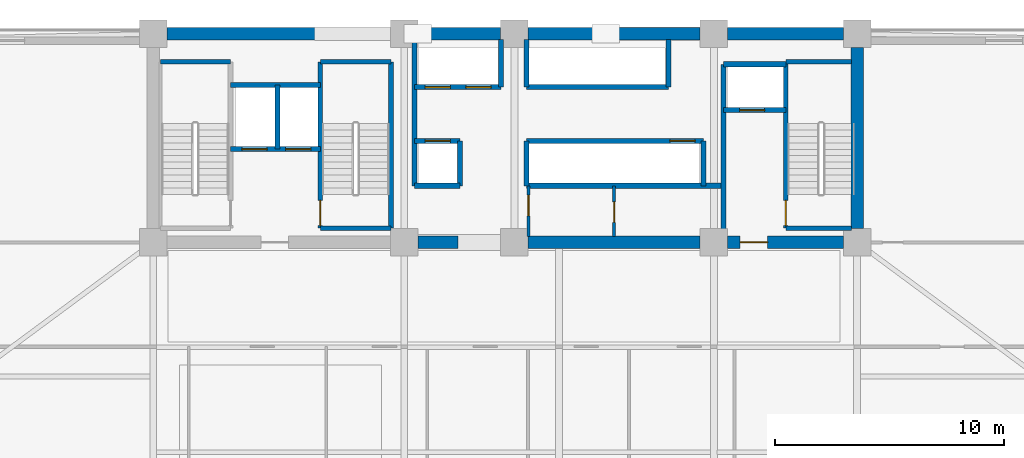
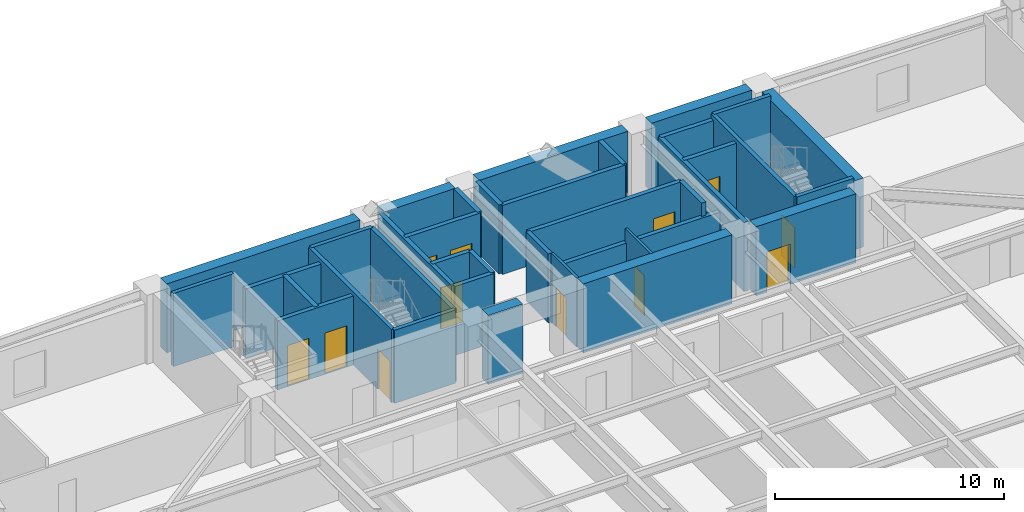
# One storey, part 9 of 16: 37 walls, 12 doors, 12 openings.
"""IFC4 building model written with IfcOpenShell, lengths in metres."""

from ifc_helpers import new_model, si_unit, direction, frame, frame_2d, origin, place, context, subcontext, project, spatial, rectangle, extrude, source, transform, mapped, material, layer, layer_set, type_object, element, fill, save


model = new_model("IFC4")

# Units and contexts
model_context = context("Model", 3, precision=1e-05, world=origin(), true_north=direction((0.0, 1.0)))
body_context = subcontext(model_context, "Body", "Model", "MODEL_VIEW")
ifc_project = project(units=[si_unit("LENGTHUNIT", "METRE"), si_unit("AREAUNIT", "SQUARE_METRE"), si_unit("VOLUMEUNIT", "CUBIC_METRE"), si_unit("PLANEANGLEUNIT", "RADIAN"), si_unit("MASSUNIT", "GRAM", prefix="KILO")], contexts=[model_context])

# Site, building, storey
site_placement = place(None, origin())
site = spatial("IfcSite", under=ifc_project, at=site_placement, CompositionType="ELEMENT")
building_placement = place(site_placement, origin())
building = spatial("IfcBuilding", under=site, at=building_placement, Name="Giltprow Tower", CompositionType="ELEMENT")
storey_placement = place(building_placement, frame((0.0, 0.0, 79.60009765625)))
storey = spatial("IfcBuildingStorey", under=building, at=storey_placement, Name="L19", CompositionType="ELEMENT", Elevation=79.60009765625)

# Wall, openings, doors
ifc_material_1 = material(Name="Concrete C40", Category="concrete")
ifc_layer_1 = layer(ifc_material_1, 0.219970703125, Name="Concrete C40")
ifc_layer_set_1 = layer_set([ifc_layer_1], Name="Concrete C40")
wall_type_1 = type_object("IfcWallType", Name="IW-SHAFT-220", PredefinedType="SOLIDWALL", material=ifc_layer_set_1)
wall_1_placement = place(storey_placement, frame((23.219970703125, 41.52001953125, 0.0), z_axis=(0.0, 0.0, 1.0), x_axis=(1.0, 0.0, 0.0)))
wall_1 = element("IfcWall", 1, at=wall_1_placement, inside=storey, type_object=wall_type_1, Name="L19 FFL1 and Service Lift Front Wall", PredefinedType="SOLIDWALL", context=body_context, shape_type="SweptSolid", body=[
    extrude(rectangle(XDim=3.919921875, YDim=0.219970703125, at=frame_2d((1.9599609375, 0.0))), origin(), (0.0, 0.0, 1.0), 3.679931640625),
])
opening_1_placement = place(wall_1_placement, frame((0.5, 0.0, 0.0)))
opening_1 = element("IfcOpeningElement", 2, at=opening_1_placement, cuts=wall_1, Name="Opening LD-11", PredefinedType="OPENING", context=body_context, shape_type="SweptSolid", body=[
    extrude(rectangle(XDim=1.10009765625, YDim=2.199951171875, at=frame_2d((0.550048828125, 1.10009765625))), frame((0.0, 0.119873046875, 0.0), z_axis=(0.0, -1.0, 0.0), x_axis=(1.0, 0.0, 0.0)), (0.0, 0.0, 1.0), 0.239990234375),
])
opening_2_placement = place(wall_1_placement, frame((2.39990234375, 0.0, 0.0)))
opening_2 = element("IfcOpeningElement", 3, at=opening_2_placement, cuts=wall_1, Name="Opening LD-11", PredefinedType="OPENING", context=body_context, shape_type="SweptSolid", body=[
    extrude(rectangle(XDim=1.10009765625, YDim=2.199951171875, at=frame_2d((0.550048828125, 1.10009765625))), frame((0.0, 0.119873046875, 0.0), z_axis=(0.0, -1.0, 0.0), x_axis=(1.0, 0.0, 0.0)), (0.0, 0.0, 1.0), 0.239990234375),
])
ifc_material_2 = material(Name="Stainless steel", Category="steel")
door_type_1 = type_object("IfcDoorType", Name="DR-LIFT-LD1100", OperationType="SLIDING_TO_LEFT", PredefinedType="DOOR", material=ifc_material_2)
shared_shape_1 = source(origin(), body_context, "Body", "SweptSolid", [
    extrude(rectangle(XDim=1.10009765625, YDim=2.199951171875, at=frame_2d((0.550048828125, 1.10009765625))), frame((0.0, 0.02490234375, 0.0), z_axis=(0.0, -1.0, 0.0), x_axis=(1.0, 0.0, 0.0)), (0.0, 0.0, 1.0), 0.050048828125),
])
door_1_placement = place(opening_1_placement, origin())
door_1 = element("IfcDoor", 4, at=door_1_placement, inside=storey, type_object=door_type_1, Name="L19 FFL1 Landing Door", OperationType="SLIDING_TO_LEFT", OverallHeight=2.199951171875, OverallWidth=1.10009765625, PredefinedType="DOOR", context=body_context, shape_type="MappedRepresentation", body=[
    mapped(shared_shape_1, transform((0.0, 0.0, 0.0), x_axis=(1.0, 0.0, 0.0), y_axis=(0.0, 1.0, 0.0), z_axis=(0.0, 0.0, 1.0), scale=1.0)),
])
fill(opening_1, door_1)
door_2_placement = place(opening_2_placement, origin())
door_2 = element("IfcDoor", 5, at=door_2_placement, inside=storey, type_object=door_type_1, Name="L19 SVL1 Landing Door", OperationType="SLIDING_TO_LEFT", OverallHeight=2.199951171875, OverallWidth=1.10009765625, PredefinedType="DOOR", context=body_context, shape_type="MappedRepresentation", body=[
    mapped(shared_shape_1, transform((0.0, 0.0, 0.0), x_axis=(1.0, 0.0, 0.0), y_axis=(0.0, 1.0, 0.0), z_axis=(0.0, 0.0, 1.0), scale=1.0)),
])
fill(opening_2, door_2)

# Walls
wall_2_placement = place(storey_placement, frame((25.260009765625, 41.52001953125, 0.0), z_axis=(0.0, 0.0, 1.0), x_axis=(0.0, 1.0, 0.0)))
element("IfcWall", 6, at=wall_2_placement, inside=storey, type_object=wall_type_1, Name="L19 FFL1-SVL1 Shaft Divider", PredefinedType="SOLIDWALL", context=body_context, shape_type="SweptSolid", body=[
    extrude(rectangle(XDim=2.800048828125, YDim=0.219970703125, at=frame_2d((1.39990234375, 0.0))), origin(), (0.0, 0.0, 1.0), 3.679931640625),
])
wall_3_placement = place(storey_placement, frame((23.219970703125, 44.320068359375, 0.0), z_axis=(0.0, 0.0, 1.0), x_axis=(1.0, 0.0, 0.0)))
element("IfcWall", 7, at=wall_3_placement, inside=storey, type_object=wall_type_1, Name="L19 FFL1-SVL1 Back Shaft Wall", PredefinedType="SOLIDWALL", context=body_context, shape_type="SweptSolid", body=[
    extrude(rectangle(XDim=3.919921875, YDim=0.219970703125, at=frame_2d((1.9599609375, 0.0))), origin(), (0.0, 0.0, 1.0), 3.679931640625),
])

# Wall, opening, door
wall_4_placement = place(storey_placement, frame((44.719970703125, 43.219970703125, 0.0), z_axis=(0.0, 0.0, 1.0), x_axis=(1.0, 0.0, 0.0)))
wall_4 = element("IfcWall", 8, at=wall_4_placement, inside=storey, type_object=wall_type_1, Name="L19 FFL2 Front Shaft Wall", PredefinedType="SOLIDWALL", context=body_context, shape_type="SweptSolid", body=[
    extrude(rectangle(XDim=2.719970703125, YDim=0.219970703125, at=frame_2d((1.35986328125, 0.0))), origin(), (0.0, 0.0, 1.0), 3.679931640625),
])
opening_3_placement = place(wall_4_placement, frame((0.699951171875, 0.0, 0.0)))
opening_3 = element("IfcOpeningElement", 9, at=opening_3_placement, cuts=wall_4, Name="Opening LD-11", PredefinedType="OPENING", context=body_context, shape_type="SweptSolid", body=[
    extrude(rectangle(XDim=1.10009765625, YDim=2.199951171875, at=frame_2d((0.550048828125, 1.10009765625))), frame((0.0, 0.119873046875, 0.0), z_axis=(0.0, -1.0, 0.0), x_axis=(1.0, 0.0, 0.0)), (0.0, 0.0, 1.0), 0.239990234375),
])
door_3_placement = place(opening_3_placement, origin())
door_3 = element("IfcDoor", 10, at=door_3_placement, inside=storey, type_object=door_type_1, Name="L19 FFL2 Landing Door", OperationType="SLIDING_TO_LEFT", OverallHeight=2.199951171875, OverallWidth=1.10009765625, PredefinedType="DOOR", context=body_context, shape_type="MappedRepresentation", body=[
    mapped(shared_shape_1, transform((0.0, 0.0, 0.0), x_axis=(1.0, 0.0, 0.0), y_axis=(0.0, 1.0, 0.0), z_axis=(0.0, 0.0, 1.0), scale=1.0)),
])
fill(opening_3, door_3)

# Walls
wall_5_placement = place(storey_placement, frame((44.719970703125, 45.219970703125, 0.0), z_axis=(0.0, 0.0, 1.0), x_axis=(1.0, 0.0, 0.0)))
element("IfcWall", 11, at=wall_5_placement, inside=storey, type_object=wall_type_1, Name="L19 FFL2 Back Shaft Wall", PredefinedType="SOLIDWALL", context=body_context, shape_type="SweptSolid", body=[
    extrude(rectangle(XDim=2.719970703125, YDim=0.219970703125, at=frame_2d((1.35986328125, 0.0))), origin(), (0.0, 0.0, 1.0), 3.679931640625),
])
wall_6_placement = place(storey_placement, frame((44.719970703125, 37.705078125, 0.0), z_axis=(0.0, 0.0, 1.0), x_axis=(0.0, 1.0, 0.0)))
element("IfcWall", 12, at=wall_6_placement, inside=storey, type_object=wall_type_1, Name="L19 East Firefighting Lobby West Wall", PredefinedType="SOLIDWALL", context=body_context, shape_type="SweptSolid", body=[
    extrude(rectangle(XDim=7.514892578125, YDim=0.219970703125, at=frame_2d((3.75732421875, 0.0))), origin(), (0.0, 0.0, 1.0), 3.679931640625),
])

# Wall, openings, doors
wall_7_placement = place(storey_placement, frame((31.25, 44.219970703125, 0.0), z_axis=(0.0, 0.0, 1.0), x_axis=(1.0, 0.0, 0.0)))
wall_7 = element("IfcWall", 13, at=wall_7_placement, inside=storey, type_object=wall_type_1, Name="L19 North West Lift Shaft Front Wall", PredefinedType="SOLIDWALL", context=body_context, shape_type="SweptSolid", body=[
    extrude(rectangle(XDim=3.77001953125, YDim=0.219970703125, at=frame_2d((1.885009765625, 0.0))), origin(), (0.0, 0.0, 1.0), 3.679931640625),
])
opening_4_placement = place(wall_7_placement, frame((0.4599609375, 0.0, 0.0)))
opening_4 = element("IfcOpeningElement", 14, at=opening_4_placement, cuts=wall_7, Name="Opening LD-11", PredefinedType="OPENING", context=body_context, shape_type="SweptSolid", body=[
    extrude(rectangle(XDim=1.10009765625, YDim=2.199951171875, at=frame_2d((0.550048828125, 1.10009765625))), frame((0.0, 0.119873046875, 0.0), z_axis=(0.0, -1.0, 0.0), x_axis=(1.0, 0.0, 0.0)), (0.0, 0.0, 1.0), 0.239990234375),
])
opening_5_placement = place(wall_7_placement, frame((2.239990234375, 0.0, 0.0)))
opening_5 = element("IfcOpeningElement", 15, at=opening_5_placement, cuts=wall_7, Name="Opening LD-11", PredefinedType="OPENING", context=body_context, shape_type="SweptSolid", body=[
    extrude(rectangle(XDim=1.10009765625, YDim=2.199951171875, at=frame_2d((0.550048828125, 1.10009765625))), frame((0.0, 0.119873046875, 0.0), z_axis=(0.0, -1.0, 0.0), x_axis=(1.0, 0.0, 0.0)), (0.0, 0.0, 1.0), 0.239990234375),
])
door_4_placement = place(opening_4_placement, origin())
door_4 = element("IfcDoor", 16, at=door_4_placement, inside=storey, type_object=door_type_1, Name="L19 PL-L1 Landing Door", OperationType="SLIDING_TO_LEFT", OverallHeight=2.199951171875, OverallWidth=1.10009765625, PredefinedType="DOOR", context=body_context, shape_type="MappedRepresentation", body=[
    mapped(shared_shape_1, transform((0.0, 0.0, 0.0), x_axis=(1.0, 0.0, 0.0), y_axis=(0.0, 1.0, 0.0), z_axis=(0.0, 0.0, 1.0), scale=1.0)),
])
fill(opening_4, door_4)
door_5_placement = place(opening_5_placement, origin())
door_5 = element("IfcDoor", 17, at=door_5_placement, inside=storey, type_object=door_type_1, Name="L19 PL-L2 Landing Door", OperationType="SLIDING_TO_LEFT", OverallHeight=2.199951171875, OverallWidth=1.10009765625, PredefinedType="DOOR", context=body_context, shape_type="MappedRepresentation", body=[
    mapped(shared_shape_1, transform((0.0, 0.0, 0.0), x_axis=(1.0, 0.0, 0.0), y_axis=(0.0, 1.0, 0.0), z_axis=(0.0, 0.0, 1.0), scale=1.0)),
])
fill(opening_5, door_5)

# Walls
wall_8_placement = place(storey_placement, frame((36.1201171875, 44.219970703125, 0.0), z_axis=(0.0, 0.0, 1.0), x_axis=(1.0, 0.0, 0.0)))
element("IfcWall", 18, at=wall_8_placement, inside=storey, type_object=wall_type_1, Name="L19 North East Lift Shaft Front Wall", PredefinedType="SOLIDWALL", context=body_context, shape_type="SweptSolid", body=[
    extrude(rectangle(XDim=6.199951171875, YDim=0.219970703125, at=frame_2d((3.10009765625, 0.0))), origin(), (0.0, 0.0, 1.0), 3.679931640625),
])
for number, where, z_axis, x_axis, name in (
    (19, (35.02001953125, 44.219970703125, 0.0), (0.0, 0.0, 1.0), (0.0, 1.0, 0.0), "L19 North West Lift Shaft East Closure"),
    (20, (36.1201171875, 44.219970703125, 0.0), (0.0, 0.0, 1.0), (0.0, 1.0, 0.0), "L19 North East Lift Shaft West Closure"),
    (21, (42.320068359375, 44.219970703125, 0.0), (0.0, 0.0, 1.0), (0.0, 1.0, 0.0), "L19 North East Lift Shaft East Closure"),
):
    element("IfcWall", number, at=place(storey_placement, frame(where, z_axis=z_axis, x_axis=x_axis)), inside=storey, type_object=wall_type_1, Name=name, PredefinedType="SOLIDWALL", context=body_context, shape_type="SweptSolid", body=[
        extrude(rectangle(XDim=2.074951171875, YDim=0.219970703125, at=frame_2d((1.03759765625, 0.0))), origin(), (0.0, 0.0, 1.0), 3.679931640625),
    ])

# Wall, opening, door
wall_9_placement = place(storey_placement, frame((31.25, 41.8798828125, 0.0), z_axis=(0.0, 0.0, 1.0), x_axis=(1.0, 0.0, 0.0)))
wall_9 = element("IfcWall", 22, at=wall_9_placement, inside=storey, type_object=wall_type_1, Name="L19 South West Lift Shaft Front Wall", PredefinedType="SOLIDWALL", context=body_context, shape_type="SweptSolid", body=[
    extrude(rectangle(XDim=1.969970703125, YDim=0.219970703125, at=frame_2d((0.98486328125, 0.0))), origin(), (0.0, 0.0, 1.0), 3.679931640625),
])
opening_6_placement = place(wall_9_placement, frame((0.4599609375, 0.0, 0.0)))
opening_6 = element("IfcOpeningElement", 23, at=opening_6_placement, cuts=wall_9, Name="Opening LD-11", PredefinedType="OPENING", context=body_context, shape_type="SweptSolid", body=[
    extrude(rectangle(XDim=1.10009765625, YDim=2.199951171875, at=frame_2d((0.550048828125, 1.10009765625))), frame((0.0, 0.119873046875, 0.0), z_axis=(0.0, -1.0, 0.0), x_axis=(1.0, 0.0, 0.0)), (0.0, 0.0, 1.0), 0.239990234375),
])
door_6_placement = place(opening_6_placement, origin())
door_6 = element("IfcDoor", 24, at=door_6_placement, inside=storey, type_object=door_type_1, Name="L19 PL-L3 Landing Door", OperationType="SLIDING_TO_LEFT", OverallHeight=2.199951171875, OverallWidth=1.10009765625, PredefinedType="DOOR", context=body_context, shape_type="MappedRepresentation", body=[
    mapped(shared_shape_1, transform((0.0, 0.0, 0.0), x_axis=(1.0, 0.0, 0.0), y_axis=(0.0, 1.0, 0.0), z_axis=(0.0, 0.0, 1.0), scale=1.0)),
])
fill(opening_6, door_6)

wall_10_placement = place(storey_placement, frame((36.1201171875, 41.8798828125, 0.0), z_axis=(0.0, 0.0, 1.0), x_axis=(1.0, 0.0, 0.0)))
wall_10 = element("IfcWall", 25, at=wall_10_placement, inside=storey, type_object=wall_type_1, Name="L19 South East Lift Shaft Front Wall", PredefinedType="SOLIDWALL", context=body_context, shape_type="SweptSolid", body=[
    extrude(rectangle(XDim=7.72998046875, YDim=0.219970703125, at=frame_2d((3.864990234375, 0.0))), origin(), (0.0, 0.0, 1.0), 3.679931640625),
])
opening_7_placement = place(wall_10_placement, frame((6.260009765625, 0.0, 0.0)))
opening_7 = element("IfcOpeningElement", 26, at=opening_7_placement, cuts=wall_10, Name="Opening LD-11", PredefinedType="OPENING", context=body_context, shape_type="SweptSolid", body=[
    extrude(rectangle(XDim=1.10009765625, YDim=2.199951171875, at=frame_2d((0.550048828125, 1.10009765625))), frame((0.0, 0.119873046875, 0.0), z_axis=(0.0, -1.0, 0.0), x_axis=(1.0, 0.0, 0.0)), (0.0, 0.0, 1.0), 0.239990234375),
])
door_7_placement = place(opening_7_placement, origin())
door_7 = element("IfcDoor", 27, at=door_7_placement, inside=storey, type_object=door_type_1, Name="L19 PL-L4 Landing Door", OperationType="SLIDING_TO_LEFT", OverallHeight=2.199951171875, OverallWidth=1.10009765625, PredefinedType="DOOR", context=body_context, shape_type="MappedRepresentation", body=[
    mapped(shared_shape_1, transform((0.0, 0.0, 0.0), x_axis=(1.0, 0.0, 0.0), y_axis=(0.0, 1.0, 0.0), z_axis=(0.0, 0.0, 1.0), scale=1.0)),
])
fill(opening_7, door_7)

# Walls
wall_11_placement = place(storey_placement, frame((31.25, 39.919921875, 0.0), z_axis=(0.0, 0.0, 1.0), x_axis=(1.0, 0.0, 0.0)))
element("IfcWall", 28, at=wall_11_placement, inside=storey, type_object=wall_type_1, Name="L19 Low-Rise South Lift Back Wall", PredefinedType="SOLIDWALL", context=body_context, shape_type="SweptSolid", body=[
    extrude(rectangle(XDim=1.969970703125, YDim=0.219970703125, at=frame_2d((0.98486328125, 0.0))), origin(), (0.0, 0.0, 1.0), 3.679931640625),
])
wall_12_placement = place(storey_placement, frame((33.219970703125, 39.919921875, 0.0), z_axis=(0.0, 0.0, 1.0), x_axis=(0.0, 1.0, 0.0)))
element("IfcWall", 29, at=wall_12_placement, inside=storey, type_object=wall_type_1, Name="L19 Low-Rise South Lift East Closure", PredefinedType="SOLIDWALL", context=body_context, shape_type="SweptSolid", body=[
    extrude(rectangle(XDim=1.9599609375, YDim=0.219970703125, at=frame_2d((0.97998046875, 0.0))), origin(), (0.0, 0.0, 1.0), 3.679931640625),
])
wall_13_placement = place(storey_placement, frame((36.1201171875, 39.919921875, 0.0), z_axis=(0.0, 0.0, 1.0), x_axis=(1.0, 0.0, 0.0)))
element("IfcWall", 30, at=wall_13_placement, inside=storey, type_object=wall_type_1, Name="L19 Express South Shaft Back Wall", PredefinedType="SOLIDWALL", context=body_context, shape_type="SweptSolid", body=[
    extrude(rectangle(XDim=8.599853515625, YDim=0.219970703125, at=frame_2d((4.2998046875, 0.0))), origin(), (0.0, 0.0, 1.0), 2.96484375),
])
wall_14_placement = place(storey_placement, frame((36.1201171875, 39.919921875, 0.0), z_axis=(0.0, 0.0, 1.0), x_axis=(0.0, 1.0, 0.0)))
element("IfcWall", 31, at=wall_14_placement, inside=storey, type_object=wall_type_1, Name="L19 Express South Shaft West Closure", PredefinedType="SOLIDWALL", context=body_context, shape_type="SweptSolid", body=[
    extrude(rectangle(XDim=1.9599609375, YDim=0.219970703125, at=frame_2d((0.97998046875, 0.0))), origin(), (0.0, 0.0, 1.0), 3.679931640625),
])
wall_15_placement = place(storey_placement, frame((31.25, 39.919921875, 0.0), z_axis=(0.0, 0.0, 1.0), x_axis=(0.0, 1.0, 0.0)))
element("IfcWall", 32, at=wall_15_placement, inside=storey, type_object=wall_type_1, Name="L19 Lift Bank West Closure", PredefinedType="SOLIDWALL", context=body_context, shape_type="SweptSolid", body=[
    extrude(rectangle(XDim=6.375, YDim=0.219970703125, at=frame_2d((3.1875, 0.0))), origin(), (0.0, 0.0, 1.0), 3.679931640625),
])
wall_16_placement = place(storey_placement, frame((43.85009765625, 39.919921875, 0.0), z_axis=(0.0, 0.0, 1.0), x_axis=(0.0, 1.0, 0.0)))
element("IfcWall", 33, at=wall_16_placement, inside=storey, type_object=wall_type_1, Name="L19 Lift Bank South-East Closure", PredefinedType="SOLIDWALL", context=body_context, shape_type="SweptSolid", body=[
    extrude(rectangle(XDim=1.9599609375, YDim=0.219970703125, at=frame_2d((0.97998046875, 0.0))), origin(), (0.0, 0.0, 1.0), 3.679931640625),
])
ifc_layer_2 = layer(ifc_material_1, 0.199951171875, Name="Concrete C40")
ifc_layer_set_2 = layer_set([ifc_layer_2], Name="Concrete C40")
wall_type_2 = type_object("IfcWallType", Name="IW-STAIR-200", PredefinedType="SOLIDWALL", material=ifc_layer_set_2)
wall_17_placement = place(storey_placement, frame((20.169921875, 45.320068359375, 0.0), z_axis=(0.0, 0.0, 1.0), x_axis=(1.0, 0.0, 0.0)))
element("IfcWall", 34, at=wall_17_placement, inside=storey, type_object=wall_type_2, Name="L19 Stair ST-1 North Bearing Wall", PredefinedType="SOLIDWALL", context=body_context, shape_type="SweptSolid", body=[
    extrude(rectangle(XDim=3.050048828125, YDim=0.199951171875, at=frame_2d((1.52490234375, 0.0))), origin(), (0.0, 0.0, 1.0), 3.89990234375),
])

# Wall, opening, door
wall_18_placement = place(storey_placement, frame((27.139892578125, 38.070068359375, 0.0), z_axis=(0.0, 0.0, 1.0), x_axis=(0.0, 1.0, 0.0)))
wall_18 = element("IfcWall", 35, at=wall_18_placement, inside=storey, type_object=wall_type_2, Name="L19 Stair ST-2 West Bearing Wall", PredefinedType="SOLIDWALL", context=body_context, shape_type="SweptSolid", body=[
    extrude(rectangle(XDim=7.25, YDim=0.199951171875, at=frame_2d((3.625, 0.0))), origin(), (0.0, 0.0, 1.0), 3.89990234375),
])
opening_8_placement = place(wall_18_placement, frame((0.110107421875, 0.0, 0.0)))
opening_8 = element("IfcOpeningElement", 36, at=opening_8_placement, cuts=wall_18, Name="Opening ID33", PredefinedType="OPENING", context=body_context, shape_type="SweptSolid", body=[
    extrude(rectangle(XDim=1.10009765625, YDim=2.14990234375, at=frame_2d((0.550048828125, 1.074951171875))), frame((0.0, 0.10986328125, 0.0), z_axis=(0.0, -1.0, 0.0), x_axis=(1.0, 0.0, 0.0)), (0.0, 0.0, 1.0), 0.219970703125),
])
ifc_material_3 = material(Name="Steel fire leaf", Category="steel")
door_type_2 = type_object("IfcDoorType", Name="DR-STAIR-1100", OperationType="SINGLE_SWING_LEFT", PredefinedType="DOOR", material=ifc_material_3)
shared_shape_2 = source(origin(), body_context, "Body", "SweptSolid", [
    extrude(rectangle(XDim=1.10009765625, YDim=2.14990234375, at=frame_2d((0.550048828125, 1.074951171875))), frame((0.0, 0.02490234375, 0.0), z_axis=(0.0, -1.0, 0.0), x_axis=(1.0, 0.0, 0.0)), (0.0, 0.0, 1.0), 0.050048828125),
])
door_8_placement = place(opening_8_placement, origin())
door_8 = element("IfcDoor", 37, at=door_8_placement, inside=storey, type_object=door_type_2, Name="L19 Stair ST-2 Fire Door", OperationType="SINGLE_SWING_RIGHT", OverallHeight=2.14990234375, OverallWidth=1.10009765625, PredefinedType="DOOR", context=body_context, shape_type="MappedRepresentation", body=[
    mapped(shared_shape_2, transform((0.0, 0.0, 0.0), x_axis=(1.0, 0.0, 0.0), y_axis=(0.0, 1.0, 0.0), z_axis=(0.0, 0.0, 1.0), scale=1.0)),
])
fill(opening_8, door_8)

# Walls
wall_19_placement = place(storey_placement, frame((30.219970703125, 38.070068359375, 0.0), z_axis=(0.0, 0.0, 1.0), x_axis=(0.0, 1.0, 0.0)))
element("IfcWall", 38, at=wall_19_placement, inside=storey, type_object=wall_type_2, Name="L19 Stair ST-2 East Bearing Wall", PredefinedType="SOLIDWALL", context=body_context, shape_type="SweptSolid", body=[
    extrude(rectangle(XDim=7.25, YDim=0.199951171875, at=frame_2d((3.625, 0.0))), origin(), (0.0, 0.0, 1.0), 3.89990234375),
])
for number, where, z_axis, x_axis, name in (
    (39, (27.139892578125, 45.320068359375, 0.0), (0.0, 0.0, 1.0), (1.0, 0.0, 0.0), "L19 Stair ST-2 North Bearing Wall"),
    (40, (27.139892578125, 38.070068359375, 0.0), (0.0, 0.0, 1.0), (1.0, 0.0, 0.0), "L19 Stair ST-2 South Bearing Wall"),
):
    element("IfcWall", number, at=place(storey_placement, frame(where, z_axis=z_axis, x_axis=x_axis)), inside=storey, type_object=wall_type_2, Name=name, PredefinedType="SOLIDWALL", context=body_context, shape_type="SweptSolid", body=[
        extrude(rectangle(XDim=3.080078125, YDim=0.199951171875, at=frame_2d((1.5400390625, 0.0))), origin(), (0.0, 0.0, 1.0), 3.89990234375),
    ])

# Wall, opening, door
wall_20_placement = place(storey_placement, frame((47.43994140625, 38.070068359375, 0.0), z_axis=(0.0, 0.0, 1.0), x_axis=(0.0, 1.0, 0.0)))
wall_20 = element("IfcWall", 41, at=wall_20_placement, inside=storey, type_object=wall_type_2, Name="L19 Stair ST-3 West Bearing Wall", PredefinedType="SOLIDWALL", context=body_context, shape_type="SweptSolid", body=[
    extrude(rectangle(XDim=7.25, YDim=0.199951171875, at=frame_2d((3.625, 0.0))), origin(), (0.0, 0.0, 1.0), 3.89990234375),
])
opening_9_placement = place(wall_20_placement, frame((0.110107421875, 0.0, 0.0)))
opening_9 = element("IfcOpeningElement", 42, at=opening_9_placement, cuts=wall_20, Name="Opening ID33", PredefinedType="OPENING", context=body_context, shape_type="SweptSolid", body=[
    extrude(rectangle(XDim=1.10009765625, YDim=2.14990234375, at=frame_2d((0.550048828125, 1.074951171875))), frame((0.0, 0.10986328125, 0.0), z_axis=(0.0, -1.0, 0.0), x_axis=(1.0, 0.0, 0.0)), (0.0, 0.0, 1.0), 0.219970703125),
])
door_9_placement = place(opening_9_placement, origin())
door_9 = element("IfcDoor", 43, at=door_9_placement, inside=storey, type_object=door_type_2, Name="L19 Stair ST-3 Fire Door", OperationType="SINGLE_SWING_LEFT", OverallHeight=2.14990234375, OverallWidth=1.10009765625, PredefinedType="DOOR", context=body_context, shape_type="MappedRepresentation", body=[
    mapped(shared_shape_2, transform((0.0, 0.0, 0.0), x_axis=(1.0, 0.0, 0.0), y_axis=(0.0, 1.0, 0.0), z_axis=(0.0, 0.0, 1.0), scale=1.0)),
])
fill(opening_9, door_9)

# Walls
for number, where, z_axis, x_axis, name in (
    (44, (47.43994140625, 45.320068359375, 0.0), (0.0, 0.0, 1.0), (1.0, 0.0, 0.0), "L19 Stair ST-3 North Bearing Wall"),
    (45, (47.43994140625, 38.070068359375, 0.0), (0.0, 0.0, 1.0), (1.0, 0.0, 0.0), "L19 Stair ST-3 South Bearing Wall"),
):
    element("IfcWall", number, at=place(storey_placement, frame(where, z_axis=z_axis, x_axis=x_axis)), inside=storey, type_object=wall_type_2, Name=name, PredefinedType="SOLIDWALL", context=body_context, shape_type="SweptSolid", body=[
        extrude(rectangle(XDim=2.85498046875, YDim=0.199951171875, at=frame_2d((1.427490234375, 0.0))), origin(), (0.0, 0.0, 1.0), 3.89990234375),
    ])

# Wall, opening, door
ifc_material_4 = material(Name="Concrete C30", Category="concrete")
ifc_layer_3 = layer(ifc_material_4, 0.1298828125, Name="Concrete C30")
ifc_layer_set_3 = layer_set([ifc_layer_3], Name="Concrete C30")
wall_type_3 = type_object("IfcWallType", Name="IW-WET-130", PredefinedType="PARTITIONING", material=ifc_layer_set_3)
wall_21_placement = place(storey_placement, frame((36.219970703125, 37.705078125, 0.0), z_axis=(0.0, 0.0, 1.0), x_axis=(0.0, 1.0, 0.0)))
wall_21 = element("IfcWall", 46, at=wall_21_placement, inside=storey, type_object=wall_type_3, Name="L19 Core Suite West Wall", PredefinedType="PARTITIONING", context=body_context, shape_type="SweptSolid", body=[
    extrude(rectangle(XDim=2.21484375, YDim=0.1298828125, at=frame_2d((1.107421875, 0.0))), origin(), (0.0, 0.0, 1.0), 3.679931640625),
])
opening_10_placement = place(wall_21_placement, frame((0.905029296875, 0.0, 0.0)))
opening_10 = element("IfcOpeningElement", 47, at=opening_10_placement, cuts=wall_21, Name="Opening ID35", PredefinedType="OPENING", context=body_context, shape_type="SweptSolid", body=[
    extrude(rectangle(XDim=0.89990234375, YDim=2.10009765625, at=frame_2d((0.449951171875, 1.050048828125))), frame((0.0, 0.074951171875, 0.0), z_axis=(0.0, -1.0, 0.0), x_axis=(1.0, 0.0, 0.0)), (0.0, 0.0, 1.0), 0.14990234375),
])
door_type_3 = type_object("IfcDoorType", Name="DR-SHAFT-900", OperationType="SINGLE_SWING_LEFT", PredefinedType="DOOR", material=ifc_material_3)
shared_shape_3 = source(origin(), body_context, "Body", "SweptSolid", [
    extrude(rectangle(XDim=0.89990234375, YDim=2.10009765625, at=frame_2d((0.449951171875, 1.050048828125))), frame((0.0, 0.02490234375, 0.0), z_axis=(0.0, -1.0, 0.0), x_axis=(1.0, 0.0, 0.0)), (0.0, 0.0, 1.0), 0.050048828125),
])
door_10_placement = place(opening_10_placement, origin())
door_10 = element("IfcDoor", 48, at=door_10_placement, inside=storey, type_object=door_type_3, Name="L19 Core Powder Room Door", OperationType="SINGLE_SWING_RIGHT", OverallHeight=2.10009765625, OverallWidth=0.89990234375, PredefinedType="DOOR", context=body_context, shape_type="MappedRepresentation", body=[
    mapped(shared_shape_3, transform((0.0, 0.0, 0.0), x_axis=(1.0, 0.0, 0.0), y_axis=(0.0, 1.0, 0.0), z_axis=(0.0, 0.0, 1.0), scale=1.0)),
])
fill(opening_10, door_10)

wall_22_placement = place(storey_placement, frame((39.949951171875, 37.705078125, 0.0), z_axis=(0.0, 0.0, 1.0), x_axis=(0.0, 1.0, 0.0)))
wall_22 = element("IfcWall", 49, at=wall_22_placement, inside=storey, type_object=wall_type_3, Name="L19 Core Suite Divider", PredefinedType="PARTITIONING", context=body_context, shape_type="SweptSolid", body=[
    extrude(rectangle(XDim=2.21484375, YDim=0.1298828125, at=frame_2d((1.107421875, 0.0))), origin(), (0.0, 0.0, 1.0), 3.679931640625),
])
opening_11_placement = place(wall_22_placement, frame((0.614990234375, 0.0, 0.0)))
opening_11 = element("IfcOpeningElement", 50, at=opening_11_placement, cuts=wall_22, Name="Opening ID35", PredefinedType="OPENING", context=body_context, shape_type="SweptSolid", body=[
    extrude(rectangle(XDim=0.89990234375, YDim=2.10009765625, at=frame_2d((0.449951171875, 1.050048828125))), frame((0.0, 0.074951171875, 0.0), z_axis=(0.0, -1.0, 0.0), x_axis=(1.0, 0.0, 0.0)), (0.0, 0.0, 1.0), 0.14990234375),
])
door_11_placement = place(opening_11_placement, origin())
door_11 = element("IfcDoor", 51, at=door_11_placement, inside=storey, type_object=door_type_3, Name="L19 Core Pantry Closet Door", OperationType="SINGLE_SWING_LEFT", OverallHeight=2.10009765625, OverallWidth=0.89990234375, PredefinedType="DOOR", context=body_context, shape_type="MappedRepresentation", body=[
    mapped(shared_shape_3, transform((0.0, 0.0, 0.0), x_axis=(1.0, 0.0, 0.0), y_axis=(0.0, 1.0, 0.0), z_axis=(0.0, 0.0, 1.0), scale=1.0)),
])
fill(opening_11, door_11)

# Walls
ifc_material_5 = material(Name="Concrete C60", Category="concrete")
ifc_layer_4 = layer(ifc_material_5, 0.550048828125, Name="Concrete C60")
ifc_layer_set_4 = layer_set([ifc_layer_4], Name="Concrete C60")
wall_type_4 = type_object("IfcWallType", Name="SW-EXT-550-C60", PredefinedType="SHEAR", material=ifc_layer_set_4)
wall_23_placement = place(storey_placement, frame((20.449951171875, 46.550048828125, 0.0), z_axis=(0.0, 0.0, 1.0), x_axis=(1.0, 0.0, 0.0)))
element("IfcWall", 52, at=wall_23_placement, inside=storey, type_object=wall_type_4, Name="L19 North Rear Core Shear Wall 1", PredefinedType="SHEAR", context=body_context, shape_type="SweptSolid", body=[
    extrude(rectangle(XDim=9.75, YDim=0.550048828125, at=frame_2d((4.875, 0.0))), origin(), (0.0, 0.0, 1.0), 3.679931640625),
])
wall_24_placement = place(storey_placement, frame((31.39990234375, 46.550048828125, 0.0), z_axis=(0.0, 0.0, 1.0), x_axis=(1.0, 0.0, 0.0)))
element("IfcWall", 53, at=wall_24_placement, inside=storey, type_object=wall_type_4, Name="L19 North Rear Core Shear Wall 2", PredefinedType="SHEAR", context=body_context, shape_type="SweptSolid", body=[
    extrude(rectangle(XDim=3.60009765625, YDim=0.550048828125, at=frame_2d((1.800048828125, 0.0))), origin(), (0.0, 0.0, 1.0), 3.679931640625),
])
wall_25_placement = place(storey_placement, frame((36.199951171875, 46.550048828125, 0.0), z_axis=(0.0, 0.0, 1.0), x_axis=(1.0, 0.0, 0.0)))
element("IfcWall", 54, at=wall_25_placement, inside=storey, type_object=wall_type_4, Name="L19 North Rear Core Shear Wall 3", PredefinedType="SHEAR", context=body_context, shape_type="SweptSolid", body=[
    extrude(rectangle(XDim=7.5, YDim=0.550048828125, at=frame_2d((3.75, 0.0))), origin(), (0.0, 0.0, 1.0), 3.679931640625),
])
wall_26_placement = place(storey_placement, frame((44.89990234375, 46.550048828125, 0.0), z_axis=(0.0, 0.0, 1.0), x_axis=(1.0, 0.0, 0.0)))
element("IfcWall", 55, at=wall_26_placement, inside=storey, type_object=wall_type_4, Name="L19 North Rear Core Shear Wall 4", PredefinedType="SHEAR", context=body_context, shape_type="SweptSolid", body=[
    extrude(rectangle(XDim=5.050048828125, YDim=0.550048828125, at=frame_2d((2.52490234375, 0.0))), origin(), (0.0, 0.0, 1.0), 3.679931640625),
])
ifc_layer_5 = layer(ifc_material_5, 0.550048828125, Name="Concrete C60")
ifc_layer_set_5 = layer_set([ifc_layer_5], Name="Concrete C60")
wall_type_5 = type_object("IfcWallType", Name="SW-INT-550-C60", PredefinedType="SHEAR", material=ifc_layer_set_5)
wall_27_placement = place(storey_placement, frame((31.39990234375, 37.449951171875, 0.0), z_axis=(0.0, 0.0, 1.0), x_axis=(1.0, 0.0, 0.0)))
element("IfcWall", 56, at=wall_27_placement, inside=storey, type_object=wall_type_5, Name="L19 South Rear Core Shear Wall Mid-West", PredefinedType="SHEAR", context=body_context, shape_type="SweptSolid", body=[
    extrude(rectangle(XDim=1.75, YDim=0.550048828125, at=frame_2d((0.875, 0.0))), origin(), (0.0, 0.0, 1.0), 3.679931640625),
])
wall_28_placement = place(storey_placement, frame((36.199951171875, 37.449951171875, 0.0), z_axis=(0.0, 0.0, 1.0), x_axis=(1.0, 0.0, 0.0)))
element("IfcWall", 57, at=wall_28_placement, inside=storey, type_object=wall_type_5, Name="L19 South Rear Core Shear Wall Mid-East", PredefinedType="SHEAR", context=body_context, shape_type="SweptSolid", body=[
    extrude(rectangle(XDim=7.5, YDim=0.550048828125, at=frame_2d((3.75, 0.0))), origin(), (0.0, 0.0, 1.0), 3.679931640625),
])

# Wall, opening, door
wall_29_placement = place(storey_placement, frame((44.89990234375, 37.449951171875, 0.0), z_axis=(0.0, 0.0, 1.0), x_axis=(1.0, 0.0, 0.0)))
wall_29 = element("IfcWall", 58, at=wall_29_placement, inside=storey, type_object=wall_type_5, Name="L19 South Rear Core Shear Wall East", PredefinedType="SHEAR", context=body_context, shape_type="SweptSolid", body=[
    extrude(rectangle(XDim=5.050048828125, YDim=0.550048828125, at=frame_2d((2.52490234375, 0.0))), origin(), (0.0, 0.0, 1.0), 3.679931640625),
])
opening_12_placement = place(wall_29_placement, frame((0.550048828125, 0.0, 0.0)))
opening_12 = element("IfcOpeningElement", 59, at=opening_12_placement, cuts=wall_29, Name="Opening ID19", PredefinedType="OPENING", context=body_context, shape_type="SweptSolid", body=[
    extrude(rectangle(XDim=1.199951171875, YDim=2.14990234375, at=frame_2d((0.60009765625, 1.074951171875))), frame((0.0, 0.284912109375, 0.0), z_axis=(0.0, -1.0, 0.0), x_axis=(1.0, 0.0, 0.0)), (0.0, 0.0, 1.0), 0.570068359375),
])
door_type_4 = type_object("IfcDoorType", Name="DR-FFLOBBY-1200", OperationType="SINGLE_SWING_RIGHT", PredefinedType="DOOR", material=ifc_material_3)
shared_shape_4 = source(origin(), body_context, "Body", "SweptSolid", [
    extrude(rectangle(XDim=1.199951171875, YDim=2.14990234375, at=frame_2d((0.60009765625, 1.074951171875))), frame((0.0, 0.02490234375, 0.0), z_axis=(0.0, -1.0, 0.0), x_axis=(1.0, 0.0, 0.0)), (0.0, 0.0, 1.0), 0.050048828125),
])
door_12_placement = place(opening_12_placement, origin())
door_12 = element("IfcDoor", 60, at=door_12_placement, inside=storey, type_object=door_type_4, Name="L19 East Firefighting Lobby Entry Door", OperationType="SINGLE_SWING_RIGHT", OverallHeight=2.14990234375, OverallWidth=1.199951171875, PredefinedType="DOOR", context=body_context, shape_type="MappedRepresentation", body=[
    mapped(shared_shape_4, transform((0.0, 0.0, 0.0), x_axis=(1.0, 0.0, 0.0), y_axis=(0.0, 1.0, 0.0), z_axis=(0.0, 0.0, 1.0), scale=1.0)),
])
fill(opening_12, door_12)

# Wall
wall_30_placement = place(storey_placement, frame((50.550048828125, 38.050048828125, 0.0), z_axis=(0.0, 0.0, 1.0), x_axis=(0.0, 1.0, 0.0)))
element("IfcWall", 61, at=wall_30_placement, inside=storey, type_object=wall_type_5, Name="L19 E Rear Core Shear Wall", PredefinedType="SHEAR", context=body_context, shape_type="SweptSolid", body=[
    extrude(rectangle(XDim=7.89990234375, YDim=0.550048828125, at=frame_2d((3.949951171875, 0.0))), origin(), (0.0, 0.0, 1.0), 3.679931640625),
])

save(model, "model.ifc")
